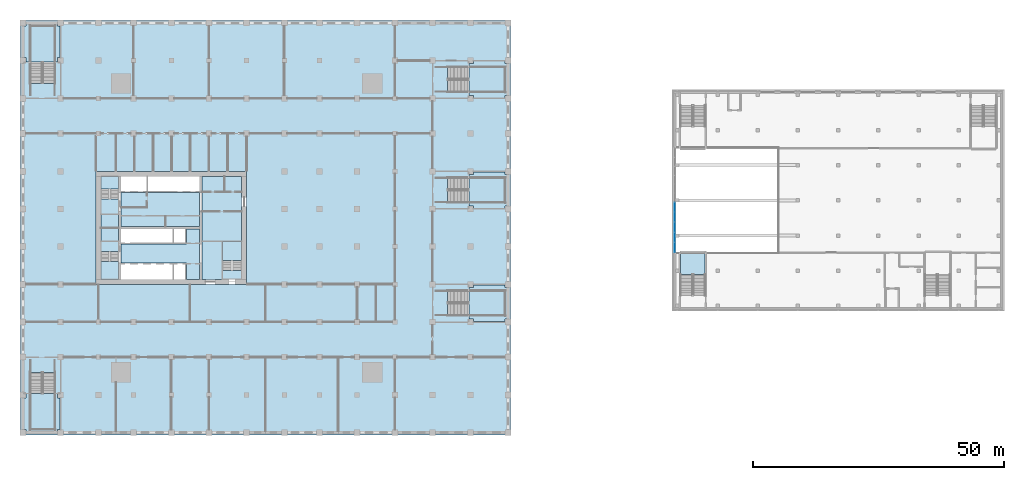
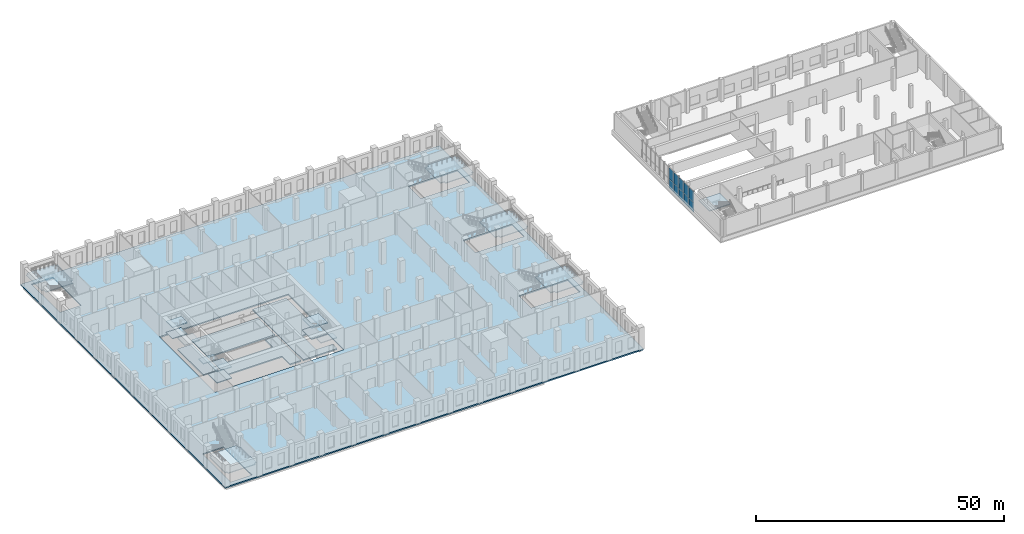
# One storey, part 4 of 35: 20 slabs, 10 plates, 11 elements without a shape of their own.
"""IFC4 building model written with IfcOpenShell, lengths in metres."""

from ifc_helpers import new_model, si_unit, direction, frame, origin, origin_2d, place, context, subcontext, project, spatial, polyline, rectangle, outline, extrude, material, layer, layer_set, type_object, element, aggregate, save


model = new_model("IFC4")

# Units and contexts
model_context = context("Model", 3, precision=1e-05, world=origin(), true_north=direction((0.0, 1.0)))
body_context = subcontext(model_context, "Body", "Model", "MODEL_VIEW")
ifc_project = project(units=[si_unit("LENGTHUNIT", "METRE"), si_unit("AREAUNIT", "SQUARE_METRE"), si_unit("VOLUMEUNIT", "CUBIC_METRE"), si_unit("PLANEANGLEUNIT", "RADIAN"), si_unit("MASSUNIT", "GRAM", prefix="KILO")], contexts=[model_context])

# Site, building, storey
site_placement = place(None, origin())
site = spatial("IfcSite", under=ifc_project, at=site_placement, CompositionType="ELEMENT")
building_placement = place(site_placement, origin())
building = spatial("IfcBuilding", under=site, at=building_placement, Name="Tamorin Gate", CompositionType="ELEMENT")
storey_placement = place(building_placement, frame((0.0, 0.0, 8.0)))
storey = spatial("IfcBuildingStorey", under=building, at=storey_placement, Name="L01", CompositionType="ELEMENT", Elevation=8.0)

# Slabs
ifc_material_1 = material(Name="Concrete C40/50", Category="concrete")
ifc_layer_1 = layer(ifc_material_1, 0.300048828125)
ifc_layer_set_1 = layer_set([ifc_layer_1], Name="Core floor slab 300 C40/50")
slab_type_1 = type_object("IfcSlabType", Name="Core floor slab 300 C40/50", PredefinedType="FLOOR", material=ifc_layer_set_1)
slab_1_placement = place(storey_placement, frame((0.0, 0.0, -0.300048828125)))
element("IfcSlab", 1, at=slab_1_placement, inside=storey, type_object=slab_type_1, Name="Core floor L01", PredefinedType="FLOOR", context=body_context, shape_type="SweptSolid", body=[
    extrude(outline(polyline([(59.0, 62.800048828125), (59.0, 61.0), (51.10009765625, 61.0), (51.10009765625, 81.5), (59.0, 81.5), (59.0, 68.5), (55.199951171875, 68.5), (55.199951171875, 62.800048828125), (59.0, 62.800048828125)])), origin(), (0.0, 0.0, 1.0), 0.300048828125),
])
slab_2_placement = place(storey_placement, frame((0.0, 0.0, -0.300048828125)))
element("IfcSlab", 2, at=slab_2_placement, inside=storey, type_object=slab_type_1, Name="Core floor L01", PredefinedType="FLOOR", context=body_context, shape_type="SweptSolid", body=[
    extrude(outline(polyline([(50.60009765625, 61.0), (48.0, 61.0), (48.0, 64.199951171875), (35.0, 64.199951171875), (35.0, 68.050048828125), (48.0, 68.050048828125), (48.0, 71.0), (50.60009765625, 71.0), (50.60009765625, 61.0)])), origin(), (0.0, 0.0, 1.0), 0.300048828125),
])
slab_3_placement = place(storey_placement, frame((0.0, 0.0, -0.300048828125)))
element("IfcSlab", 3, at=slab_3_placement, inside=storey, type_object=slab_type_1, Name="Core floor L01", PredefinedType="FLOOR", context=body_context, shape_type="SweptSolid", body=[
    extrude(outline(polyline([(50.60009765625, 71.5), (35.0, 71.5), (35.0, 78.300048828125), (50.60009765625, 78.300048828125), (50.60009765625, 71.5)])), origin(), (0.0, 0.0, 1.0), 0.300048828125),
])
slab_4_placement = place(storey_placement, frame((0.0, 0.0, -0.300048828125)))
element("IfcSlab", 4, at=slab_4_placement, inside=storey, type_object=slab_type_1, Name="Core floor L01", PredefinedType="FLOOR", context=body_context, shape_type="SweptSolid", body=[
    extrude(outline(polyline([(31.0, 66.5), (31.0, 77.0), (34.5, 77.0), (34.5, 66.5), (31.0, 66.5)])), origin(), (0.0, 0.0, 1.0), 0.300048828125),
])

# Stair, slabs
stair_type_1 = type_object("IfcStairType", Name="Exit stair", PredefinedType="HALF_TURN_STAIR", material=ifc_material_1)
stair_1_placement = place(storey_placement, origin())
stair_1 = element("IfcStair", 5, at=stair_1_placement, inside=storey, type_object=stair_type_1, Name="L01 stair ST1", PredefinedType="HALF_TURN_STAIR")
ifc_layer_2 = layer(ifc_material_1, 0.199951171875)
ifc_layer_set_2 = layer_set([ifc_layer_2], Name="Exit stair landing 200")
slab_type_2 = type_object("IfcSlabType", Name="Exit stair landing 200", PredefinedType="LANDING", material=ifc_layer_set_2)
slab_5_placement = place(storey_placement, frame((0.0, 0.0, 1.175048828125)))
slab_5 = element("IfcSlab", 6, at=slab_5_placement, type_object=slab_type_2, Name="ST1 landing 1", PredefinedType="LANDING", context=body_context, shape_type="SweptSolid", body=[
    extrude(outline(polyline([(31.0, 64.5400390625), (31.0, 61.0), (34.5, 61.0), (34.5, 64.5400390625), (31.0, 64.5400390625)])), origin(), (0.0, 0.0, 1.0), 0.199951171875),
])
slab_6_placement = place(storey_placement, frame((0.0, 0.0, 2.550048828125)))
slab_6 = element("IfcSlab", 7, at=slab_6_placement, type_object=slab_type_2, Name="ST1 landing 2", PredefinedType="LANDING", context=body_context, shape_type="SweptSolid", body=[
    extrude(outline(polyline([(31.0, 68.5), (31.0, 66.5), (34.5, 66.5), (34.5, 68.5), (31.0, 68.5)])), origin(), (0.0, 0.0, 1.0), 0.199951171875),
])
slab_7_placement = place(storey_placement, frame((0.0, 0.0, 3.925048828125)))
slab_7 = element("IfcSlab", 8, at=slab_7_placement, type_object=slab_type_2, Name="ST1 landing 3", PredefinedType="LANDING", context=body_context, shape_type="SweptSolid", body=[
    extrude(outline(polyline([(31.0, 64.5400390625), (31.0, 61.0), (34.5, 61.0), (34.5, 64.5400390625), (31.0, 64.5400390625)])), origin(), (0.0, 0.0, 1.0), 0.199951171875),
])
aggregate(stair_1, [slab_5, slab_6, slab_7])

stair_2_placement = place(storey_placement, origin())
stair_2 = element("IfcStair", 9, at=stair_2_placement, inside=storey, type_object=stair_type_1, Name="L01 stair ST2", PredefinedType="HALF_TURN_STAIR")
slab_8_placement = place(storey_placement, frame((0.0, 0.0, 1.175048828125)))
slab_8 = element("IfcSlab", 10, at=slab_8_placement, type_object=slab_type_2, Name="ST2 landing 1", PredefinedType="LANDING", context=body_context, shape_type="SweptSolid", body=[
    extrude(outline(polyline([(34.5, 78.9599609375), (34.5, 81.5), (31.0, 81.5), (31.0, 78.9599609375), (34.5, 78.9599609375)])), origin(), (0.0, 0.0, 1.0), 0.199951171875),
])
slab_9_placement = place(storey_placement, frame((0.0, 0.0, 2.550048828125)))
slab_9 = element("IfcSlab", 11, at=slab_9_placement, type_object=slab_type_2, Name="ST2 landing 2", PredefinedType="LANDING", context=body_context, shape_type="SweptSolid", body=[
    extrude(outline(polyline([(34.5, 74.0), (34.5, 77.0), (31.0, 77.0), (31.0, 74.0), (34.5, 74.0)])), origin(), (0.0, 0.0, 1.0), 0.199951171875),
])
slab_10_placement = place(storey_placement, frame((0.0, 0.0, 3.925048828125)))
slab_10 = element("IfcSlab", 12, at=slab_10_placement, type_object=slab_type_2, Name="ST2 landing 3", PredefinedType="LANDING", context=body_context, shape_type="SweptSolid", body=[
    extrude(outline(polyline([(34.5, 78.9599609375), (34.5, 81.5), (31.0, 81.5), (31.0, 78.9599609375), (34.5, 78.9599609375)])), origin(), (0.0, 0.0, 1.0), 0.199951171875),
])
aggregate(stair_2, [slab_8, slab_9, slab_10])

stair_3_placement = place(storey_placement, origin())
stair_3 = element("IfcStair", 13, at=stair_3_placement, inside=storey, type_object=stair_type_1, Name="L01 stair ST3", PredefinedType="HALF_TURN_STAIR")
slab_11_placement = place(storey_placement, frame((0.0, 0.0, 1.175048828125)))
slab_11 = element("IfcSlab", 14, at=slab_11_placement, type_object=slab_type_2, Name="ST3 landing 1", PredefinedType="LANDING", context=body_context, shape_type="SweptSolid", body=[
    extrude(outline(polyline([(59.0, 64.760009765625), (59.0, 68.5), (55.199951171875, 68.5), (55.199951171875, 64.760009765625), (59.0, 64.760009765625)])), origin(), (0.0, 0.0, 1.0), 0.199951171875),
])
slab_12_placement = place(storey_placement, frame((0.0, 0.0, 2.550048828125)))
slab_12 = element("IfcSlab", 15, at=slab_12_placement, type_object=slab_type_2, Name="ST3 landing 2", PredefinedType="LANDING", context=body_context, shape_type="SweptSolid", body=[
    extrude(outline(polyline([(59.0, 61.0), (59.0, 62.800048828125), (55.199951171875, 62.800048828125), (55.199951171875, 61.0), (59.0, 61.0)])), origin(), (0.0, 0.0, 1.0), 0.199951171875),
])
slab_13_placement = place(storey_placement, frame((0.0, 0.0, 3.925048828125)))
slab_13 = element("IfcSlab", 16, at=slab_13_placement, type_object=slab_type_2, Name="ST3 landing 3", PredefinedType="LANDING", context=body_context, shape_type="SweptSolid", body=[
    extrude(outline(polyline([(59.0, 64.760009765625), (59.0, 68.5), (55.199951171875, 68.5), (55.199951171875, 64.760009765625), (59.0, 64.760009765625)])), origin(), (0.0, 0.0, 1.0), 0.199951171875),
])
aggregate(stair_3, [slab_11, slab_12, slab_13])

# Curtain wall, plates
ifc_material_2 = material(Name="Aluminium and glass", Category="aluminium")
curtain_wall_type = type_object("IfcCurtainWallType", Name="Museum atrium curtain wall", PredefinedType="NOTDEFINED", material=ifc_material_2)
curtain_wall_1_placement = place(storey_placement, origin())
curtain_wall_1 = element("IfcCurtainWall", 17, at=curtain_wall_1_placement, inside=storey, type_object=curtain_wall_type, Name="Museum atrium glazing", PredefinedType="NOTDEFINED")
ifc_material_3 = material(Name="Laminated glass", Category="glass")
ifc_layer_3 = layer(ifc_material_3, 0.028076171875)
ifc_layer_set_3 = layer_set([ifc_layer_3], Name="Museum glazing panel 28")
plate_type = type_object("IfcPlateType", Name="Museum glazing panel 28", PredefinedType="CURTAIN_PANEL", material=ifc_layer_set_3)
plate_1_placement = place(storey_placement, frame((145.199951171875, 67.356689453125, 0.06005859375), z_axis=(0.0, 0.0, 1.0), x_axis=(0.0, 1.0, 0.0)))
plate_1 = element("IfcPlate", 18, at=plate_1_placement, type_object=plate_type, Name="CWM3 panel 1.1", PredefinedType="CURTAIN_PANEL", context=body_context, shape_type="SweptSolid", body=[
    extrude(rectangle(XDim=1.933349609375, YDim=0.028076171875, at=origin_2d()), origin(), (0.0, 0.0, 1.0), 2.31005859375),
])
plate_2_placement = place(storey_placement, frame((145.199951171875, 67.356689453125, 2.429931640625), z_axis=(0.0, 0.0, 1.0), x_axis=(0.0, 1.0, 0.0)))
plate_2 = element("IfcPlate", 19, at=plate_2_placement, type_object=plate_type, Name="CWM3 panel 1.2", PredefinedType="CURTAIN_PANEL", context=body_context, shape_type="SweptSolid", body=[
    extrude(rectangle(XDim=1.933349609375, YDim=0.028076171875, at=origin_2d()), origin(), (0.0, 0.0, 1.0), 2.7099609375),
])
plate_3_placement = place(storey_placement, frame((145.199951171875, 69.364990234375, 0.06005859375), z_axis=(0.0, 0.0, 1.0), x_axis=(0.0, 1.0, 0.0)))
plate_3 = element("IfcPlate", 20, at=plate_3_placement, type_object=plate_type, Name="CWM3 panel 2.1", PredefinedType="CURTAIN_PANEL", context=body_context, shape_type="SweptSolid", body=[
    extrude(rectangle(XDim=1.96337890625, YDim=0.028076171875, at=origin_2d()), origin(), (0.0, 0.0, 1.0), 2.31005859375),
])
plate_4_placement = place(storey_placement, frame((145.199951171875, 69.364990234375, 2.429931640625), z_axis=(0.0, 0.0, 1.0), x_axis=(0.0, 1.0, 0.0)))
plate_4 = element("IfcPlate", 21, at=plate_4_placement, type_object=plate_type, Name="CWM3 panel 2.2", PredefinedType="CURTAIN_PANEL", context=body_context, shape_type="SweptSolid", body=[
    extrude(rectangle(XDim=1.96337890625, YDim=0.028076171875, at=origin_2d()), origin(), (0.0, 0.0, 1.0), 2.7099609375),
])
plate_5_placement = place(storey_placement, frame((145.199951171875, 71.373291015625, 0.06005859375), z_axis=(0.0, 0.0, 1.0), x_axis=(0.0, 1.0, 0.0)))
plate_5 = element("IfcPlate", 22, at=plate_5_placement, type_object=plate_type, Name="CWM3 panel 3.1", PredefinedType="CURTAIN_PANEL", context=body_context, shape_type="SweptSolid", body=[
    extrude(rectangle(XDim=1.933349609375, YDim=0.028076171875, at=origin_2d()), origin(), (0.0, 0.0, 1.0), 2.31005859375),
])
plate_6_placement = place(storey_placement, frame((145.199951171875, 71.373291015625, 2.429931640625), z_axis=(0.0, 0.0, 1.0), x_axis=(0.0, 1.0, 0.0)))
plate_6 = element("IfcPlate", 23, at=plate_6_placement, type_object=plate_type, Name="CWM3 panel 3.2", PredefinedType="CURTAIN_PANEL", context=body_context, shape_type="SweptSolid", body=[
    extrude(rectangle(XDim=1.933349609375, YDim=0.028076171875, at=origin_2d()), origin(), (0.0, 0.0, 1.0), 2.7099609375),
])
aggregate(curtain_wall_1, [plate_1, plate_2, plate_3, plate_4, plate_5, plate_6])

curtain_wall_2_placement = place(storey_placement, origin())
curtain_wall_2 = element("IfcCurtainWall", 24, at=curtain_wall_2_placement, inside=storey, type_object=curtain_wall_type, Name="Museum atrium glazing", PredefinedType="NOTDEFINED")
plate_7_placement = place(storey_placement, frame((145.199951171875, 73.4150390625, 0.06005859375), z_axis=(0.0, 0.0, 1.0), x_axis=(0.0, 1.0, 0.0)))
plate_7 = element("IfcPlate", 25, at=plate_7_placement, type_object=plate_type, Name="CWM4 panel 1.1", PredefinedType="CURTAIN_PANEL", context=body_context, shape_type="SweptSolid", body=[
    extrude(rectangle(XDim=1.909912109375, YDim=0.028076171875, at=origin_2d()), origin(), (0.0, 0.0, 1.0), 2.31005859375),
])
plate_8_placement = place(storey_placement, frame((145.199951171875, 73.4150390625, 2.429931640625), z_axis=(0.0, 0.0, 1.0), x_axis=(0.0, 1.0, 0.0)))
plate_8 = element("IfcPlate", 26, at=plate_8_placement, type_object=plate_type, Name="CWM4 panel 1.2", PredefinedType="CURTAIN_PANEL", context=body_context, shape_type="SweptSolid", body=[
    extrude(rectangle(XDim=1.909912109375, YDim=0.028076171875, at=origin_2d()), origin(), (0.0, 0.0, 1.0), 2.7099609375),
])
plate_9_placement = place(storey_placement, frame((145.199951171875, 75.385009765625, 0.06005859375), z_axis=(0.0, 0.0, 1.0), x_axis=(0.0, 1.0, 0.0)))
plate_9 = element("IfcPlate", 27, at=plate_9_placement, type_object=plate_type, Name="CWM4 panel 2.1", PredefinedType="CURTAIN_PANEL", context=body_context, shape_type="SweptSolid", body=[
    extrude(rectangle(XDim=1.909912109375, YDim=0.028076171875, at=origin_2d()), origin(), (0.0, 0.0, 1.0), 2.31005859375),
])
plate_10_placement = place(storey_placement, frame((145.199951171875, 75.385009765625, 2.429931640625), z_axis=(0.0, 0.0, 1.0), x_axis=(0.0, 1.0, 0.0)))
plate_10 = element("IfcPlate", 28, at=plate_10_placement, type_object=plate_type, Name="CWM4 panel 2.2", PredefinedType="CURTAIN_PANEL", context=body_context, shape_type="SweptSolid", body=[
    extrude(rectangle(XDim=1.909912109375, YDim=0.028076171875, at=origin_2d()), origin(), (0.0, 0.0, 1.0), 2.7099609375),
])
aggregate(curtain_wall_2, [plate_7, plate_8, plate_9, plate_10])

# Stair, slab
stair_type_2 = type_object("IfcStairType", Name="Museum exit stair 2400 C40/50", PredefinedType="HALF_TURN_STAIR", material=ifc_material_1)
stair_4_placement = place(storey_placement, origin())
stair_4 = element("IfcStair", 29, at=stair_4_placement, inside=storey, type_object=stair_type_2, Name="L01 PS8", PredefinedType="HALF_TURN_STAIR")
ifc_layer_4 = layer(ifc_material_1, 0.199951171875)
ifc_layer_set_4 = layer_set([ifc_layer_4], Name="Museum stair landing slab 200 C40/50")
slab_type_3 = type_object("IfcSlabType", Name="Museum stair landing slab 200 C40/50", PredefinedType="LANDING", material=ifc_layer_set_4)
slab_14_placement = place(storey_placement, frame((0.0, 0.0, 2.550048828125)))
slab_14 = element("IfcSlab", 30, at=slab_14_placement, type_object=slab_type_3, Name="PS8 landing 1", PredefinedType="LANDING", context=body_context, shape_type="SweptSolid", body=[
    extrude(outline(polyline([(151.25, 62.0), (151.25, 66.360107421875), (146.300048828125, 66.360107421875), (146.300048828125, 62.0), (151.25, 62.0)])), origin(), (0.0, 0.0, 1.0), 0.199951171875),
])
aggregate(stair_4, [slab_14])

# Slab
ifc_material_4 = material(Name="Concrete C45/55", Category="concrete")
ifc_layer_5 = layer(ifc_material_4, 0.300048828125)
ifc_layer_set_5 = layer_set([ifc_layer_5], Name="Podium slab 300 C45/55")
slab_type_4 = type_object("IfcSlabType", Name="Podium slab 300 C45/55", PredefinedType="FLOOR", material=ifc_layer_set_5)
slab_15_placement = place(storey_placement, frame((0.0, 0.0, -0.300048828125)))
element("IfcSlab", 31, at=slab_15_placement, inside=storey, type_object=slab_type_4, Name="Podium L01", PredefinedType="FLOOR", context=body_context, shape_type="SweptSolid", body=[
    extrude(outline(polyline([(15.0, 30.0), (112.5, 30.0), (112.5, 112.5), (15.0, 112.5), (15.0, 30.0)]), holes=[polyline([(60.0, 60.0), (60.0, 82.5), (30.0, 82.5), (30.0, 60.0), (60.0, 60.0)]), polyline([(16.925537109375, 42.49951171875), (21.87451171875, 42.49951171875), (21.87451171875, 31.1005859375), (16.925537109375, 31.1005859375), (16.925537109375, 42.49951171875)]), polyline([(21.87451171875, 100.00048828125), (16.925537109375, 100.00048828125), (16.925537109375, 111.3994140625), (21.87451171875, 111.3994140625), (21.87451171875, 100.00048828125)]), polyline([(100.00048828125, 53.775390625), (100.00048828125, 58.724609375), (111.3994140625, 58.724609375), (111.3994140625, 53.775390625), (100.00048828125, 53.775390625)]), polyline([(100.00048828125, 98.275390625), (100.00048828125, 103.224609375), (111.3994140625, 103.224609375), (111.3994140625, 98.275390625), (100.00048828125, 98.275390625)]), polyline([(100.00048828125, 76.275390625), (100.00048828125, 81.224609375), (111.3994140625, 81.224609375), (111.3994140625, 76.275390625), (100.00048828125, 76.275390625)])]), origin(), (0.0, 0.0, 1.0), 0.300048828125),
])

# Stair, slab
ifc_material_5 = material(Name="Reinforced concrete C32/40", Category="concrete")
stair_type_3 = type_object("IfcStairType", Name="Podium stair PS", PredefinedType="HALF_TURN_STAIR", material=ifc_material_5)
stair_5_placement = place(storey_placement, origin())
stair_5 = element("IfcStair", 32, at=stair_5_placement, inside=storey, type_object=stair_type_3, Name="L01 Podium stair PS1", PredefinedType="HALF_TURN_STAIR")
ifc_layer_6 = layer(ifc_material_5, 0.199951171875)
ifc_layer_set_6 = layer_set([ifc_layer_6], Name="Stair landing 200")
slab_type_5 = type_object("IfcSlabType", Name="Stair landing 200", PredefinedType="LANDING", material=ifc_layer_set_6)
slab_16_placement = place(storey_placement, frame((0.0, 0.0, 2.550048828125)))
slab_16 = element("IfcSlab", 33, at=slab_16_placement, type_object=slab_type_5, Name="PS1 landing 1", PredefinedType="LANDING", context=body_context, shape_type="SweptSolid", body=[
    extrude(outline(polyline([(22.39990234375, 31.10009765625), (22.39990234375, 30.64990234375), (16.10009765625, 30.64990234375), (16.10009765625, 31.10009765625), (15.64990234375, 31.10009765625), (15.64990234375, 37.39990234375), (16.10009765625, 37.39990234375), (16.10009765625, 38.300048828125), (22.39990234375, 38.300048828125), (22.39990234375, 37.39990234375), (22.89990234375, 37.39990234375), (22.89990234375, 31.10009765625), (22.39990234375, 31.10009765625)])), origin(), (0.0, 0.0, 1.0), 0.199951171875),
])
aggregate(stair_5, [slab_16])

stair_6_placement = place(storey_placement, origin())
stair_6 = element("IfcStair", 34, at=stair_6_placement, inside=storey, type_object=stair_type_3, Name="L01 Podium stair PS2", PredefinedType="HALF_TURN_STAIR")
slab_17_placement = place(storey_placement, frame((0.0, 0.0, 2.550048828125)))
slab_17 = element("IfcSlab", 35, at=slab_17_placement, type_object=slab_type_5, Name="PS2 landing 1", PredefinedType="LANDING", context=body_context, shape_type="SweptSolid", body=[
    extrude(outline(polyline([(22.39990234375, 105.10009765625), (22.39990234375, 104.199951171875), (16.10009765625, 104.199951171875), (16.10009765625, 105.10009765625), (15.64990234375, 105.10009765625), (15.64990234375, 111.39990234375), (16.10009765625, 111.39990234375), (16.10009765625, 111.85009765625), (22.39990234375, 111.85009765625), (22.39990234375, 111.39990234375), (22.89990234375, 111.39990234375), (22.89990234375, 105.10009765625), (22.39990234375, 105.10009765625)])), origin(), (0.0, 0.0, 1.0), 0.199951171875),
])
aggregate(stair_6, [slab_17])

stair_7_placement = place(storey_placement, origin())
stair_7 = element("IfcStair", 36, at=stair_7_placement, inside=storey, type_object=stair_type_3, Name="L01 Podium stair PS3", PredefinedType="HALF_TURN_STAIR")
slab_18_placement = place(storey_placement, frame((0.0, 0.0, 2.550048828125)))
slab_18 = element("IfcSlab", 37, at=slab_18_placement, type_object=slab_type_5, Name="PS3 landing 1", PredefinedType="LANDING", context=body_context, shape_type="SweptSolid", body=[
    extrude(outline(polyline([(111.39990234375, 53.10009765625), (111.39990234375, 52.60009765625), (105.10009765625, 52.60009765625), (105.10009765625, 53.10009765625), (104.199951171875, 53.10009765625), (104.199951171875, 59.39990234375), (105.10009765625, 59.39990234375), (105.10009765625, 59.89990234375), (111.39990234375, 59.89990234375), (111.39990234375, 59.39990234375), (111.85009765625, 59.39990234375), (111.85009765625, 53.10009765625), (111.39990234375, 53.10009765625)])), origin(), (0.0, 0.0, 1.0), 0.199951171875),
])
aggregate(stair_7, [slab_18])

stair_8_placement = place(storey_placement, origin())
stair_8 = element("IfcStair", 38, at=stair_8_placement, inside=storey, type_object=stair_type_3, Name="L01 Podium stair PS4", PredefinedType="HALF_TURN_STAIR")
slab_19_placement = place(storey_placement, frame((0.0, 0.0, 2.550048828125)))
slab_19 = element("IfcSlab", 39, at=slab_19_placement, type_object=slab_type_5, Name="PS4 landing 1", PredefinedType="LANDING", context=body_context, shape_type="SweptSolid", body=[
    extrude(outline(polyline([(111.39990234375, 97.60009765625), (111.39990234375, 97.10009765625), (105.10009765625, 97.10009765625), (105.10009765625, 97.60009765625), (104.199951171875, 97.60009765625), (104.199951171875, 103.89990234375), (105.10009765625, 103.89990234375), (105.10009765625, 104.39990234375), (111.39990234375, 104.39990234375), (111.39990234375, 103.89990234375), (111.85009765625, 103.89990234375), (111.85009765625, 97.60009765625), (111.39990234375, 97.60009765625)])), origin(), (0.0, 0.0, 1.0), 0.199951171875),
])
aggregate(stair_8, [slab_19])

stair_9_placement = place(storey_placement, origin())
stair_9 = element("IfcStair", 40, at=stair_9_placement, inside=storey, type_object=stair_type_3, Name="L01 Podium stair PS5", PredefinedType="HALF_TURN_STAIR")
slab_20_placement = place(storey_placement, frame((0.0, 0.0, 2.550048828125)))
slab_20 = element("IfcSlab", 41, at=slab_20_placement, type_object=slab_type_5, Name="PS5 landing 1", PredefinedType="LANDING", context=body_context, shape_type="SweptSolid", body=[
    extrude(outline(polyline([(111.39990234375, 75.60009765625), (111.39990234375, 75.10009765625), (105.10009765625, 75.10009765625), (105.10009765625, 75.60009765625), (104.199951171875, 75.60009765625), (104.199951171875, 81.89990234375), (105.10009765625, 81.89990234375), (105.10009765625, 82.39990234375), (111.39990234375, 82.39990234375), (111.39990234375, 81.89990234375), (111.85009765625, 81.89990234375), (111.85009765625, 75.60009765625), (111.39990234375, 75.60009765625)])), origin(), (0.0, 0.0, 1.0), 0.199951171875),
])
aggregate(stair_9, [slab_20])

save(model, "model.ifc")
